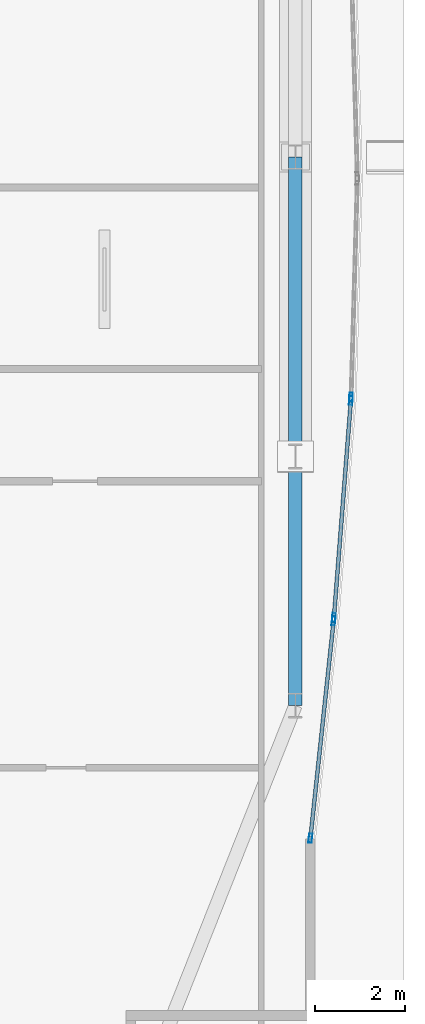
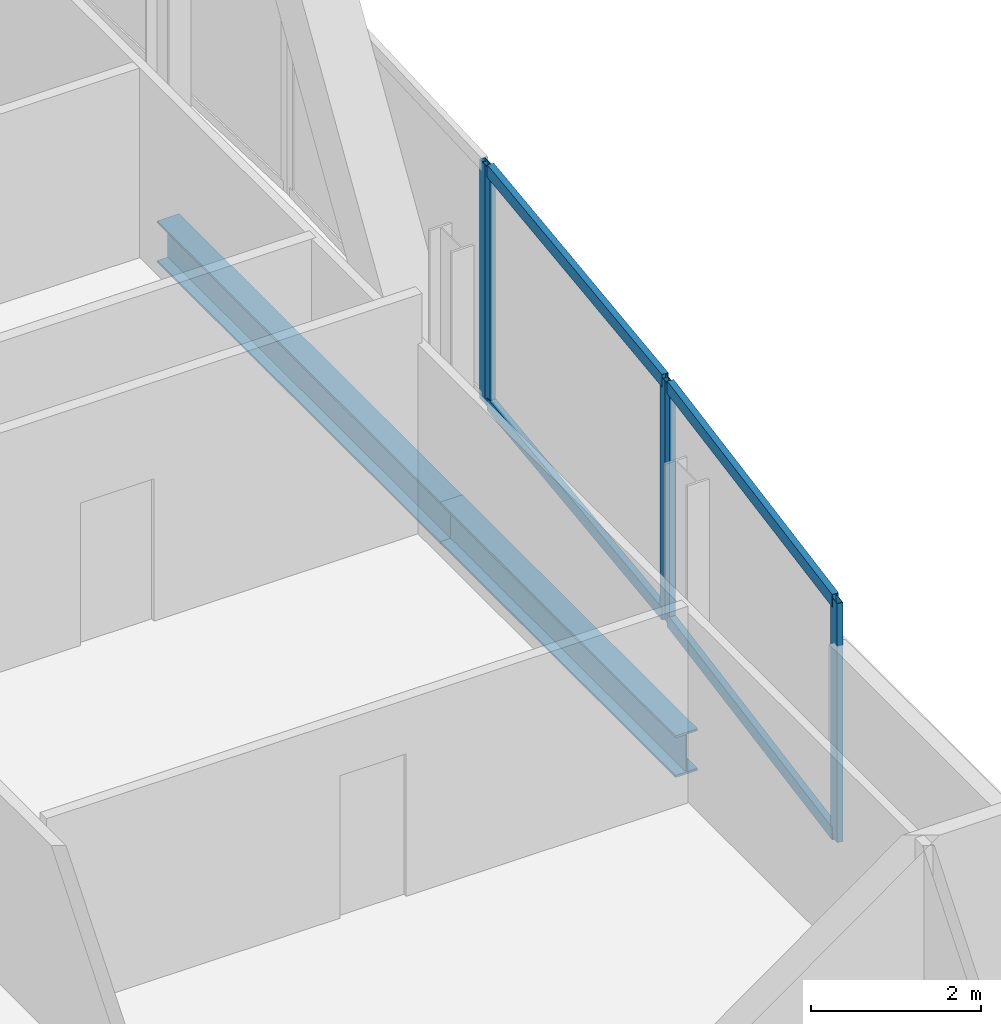
# One storey, part 20 of 30: 9 members, 2 beams, 3 elements without a shape of their own.
"""IFC4 building model written with IfcOpenShell, lengths in metres."""

from ifc_helpers import new_model, si_unit, direction, frame, origin, origin_2d, place, context, subcontext, project, spatial, hollow_rectangle, i_section, extrude, material, material_profile, profile_set, type_object, element, aggregate, save


model = new_model("IFC4")

# Units and contexts
model_context = context("Model", 3, precision=1e-05, world=origin(), true_north=direction((0.0, 1.0)))
body_context = subcontext(model_context, "Body", "Model", "MODEL_VIEW")
ifc_project = project(units=[si_unit("LENGTHUNIT", "METRE"), si_unit("AREAUNIT", "SQUARE_METRE"), si_unit("VOLUMEUNIT", "CUBIC_METRE"), si_unit("PLANEANGLEUNIT", "RADIAN"), si_unit("MASSUNIT", "GRAM", prefix="KILO")], contexts=[model_context])

# Site, building, storey
site_placement = place(None, origin())
site = spatial("IfcSite", under=ifc_project, at=site_placement, CompositionType="ELEMENT")
building_placement = place(site_placement, origin())
building = spatial("IfcBuilding", under=site, at=building_placement, Name="Khoronbel Lancet Exchange", CompositionType="ELEMENT")
storey_placement = place(building_placement, frame((0.0, 0.0, 136.199951171875)))
storey = spatial("IfcBuildingStorey", under=building, at=storey_placement, Name="L33", CompositionType="ELEMENT", Elevation=136.199951171875)

# Beams
ifc_material_1 = material(Name="Steel S355", Category="steel")
ifc_material_profile_1 = material_profile(ifc_material_1, i_section(OverallWidth=0.300048828125, OverallDepth=0.60009765625, WebThickness=0.015380859375, FlangeThickness=0.030029296875, at=origin_2d()), Name="HEB 600")
ifc_profile_set_1 = profile_set([ifc_material_profile_1], Name="Steel S355")
beam_type = type_object("IfcBeamType", Name="BM-BSP2", PredefinedType="SPANDREL", material=ifc_profile_set_1)
beam_1_placement = place(storey_placement, frame((67.6298828125, 19.199951171875, -0.4599609375), z_axis=(0.0, 1.0, 0.0), x_axis=(-1.0, 0.0, 0.0)))
element("IfcBeam", 1, at=beam_1_placement, inside=storey, type_object=beam_type, Name="Level L33 perimeter spandrel beam SP09", PredefinedType="SPANDREL", context=body_context, shape_type="SweptSolid", body=[
    extrude(i_section(OverallWidth=0.300048828125, OverallDepth=0.60009765625, WebThickness=0.015380859375, FlangeThickness=0.030029296875, at=origin_2d()), origin(), (0.0, 0.0, 1.0), 5.550048828125),
])
beam_2_placement = place(storey_placement, frame((67.6298828125, 24.75, -0.4599609375), z_axis=(0.0, 1.0, 0.0), x_axis=(-1.0, 0.0, 0.0)))
element("IfcBeam", 2, at=beam_2_placement, inside=storey, type_object=beam_type, Name="Level L33 perimeter spandrel beam SP10", PredefinedType="SPANDREL", context=body_context, shape_type="SweptSolid", body=[
    extrude(i_section(OverallWidth=0.300048828125, OverallDepth=0.60009765625, WebThickness=0.015380859375, FlangeThickness=0.030029296875, at=origin_2d()), origin(), (0.0, 0.0, 1.0), 6.675048828125),
])

# Curtain wall, member
ifc_material_2 = material(Name="Low-E Solar Control Insulating Glass", Category="glass")
curtain_wall_type = type_object("IfcCurtainWallType", Name="CW-4", PredefinedType="NOTDEFINED", material=ifc_material_2)
curtain_wall_1_placement = place(storey_placement, origin())
curtain_wall_1 = element("IfcCurtainWall", 3, at=curtain_wall_1_placement, inside=storey, type_object=curtain_wall_type, Name="Unitised curtain wall CW-L33-E20", PredefinedType="NOTDEFINED")
ifc_material_3 = material(Name="Bronze-Anodised Aluminium 6063-T6", Category="aluminium")
ifc_material_profile_2 = material_profile(ifc_material_3, hollow_rectangle(XDim=0.074951171875, YDim=0.199951171875, WallThickness=0.0048828125, at=origin_2d()), Name="ALU MULLION 75x200")
ifc_profile_set_2 = profile_set([ifc_material_profile_2], Name="Bronze-Anodised Aluminium 6063-T6")
member_type_1 = type_object("IfcMemberType", Name="MEM-CWM2", PredefinedType="MULLION", material=ifc_profile_set_2)
member_1_placement = place(storey_placement, frame((68.870361328125, 26.07568359375, 0.0), z_axis=(0.0, 0.0, 1.0), x_axis=(0.999590574553, -0.028612641702, 0.0)))
member_1 = element("IfcMember", 4, at=member_1_placement, type_object=member_type_1, Name="CW4 mullion 2", PredefinedType="MULLION", context=body_context, shape_type="SweptSolid", body=[
    extrude(hollow_rectangle(XDim=0.074951171875, YDim=0.199951171875, WallThickness=0.0048828125, at=origin_2d()), origin(), (0.0, 0.0, 1.0), 3.43994140625),
])
aggregate(curtain_wall_1, [member_1])

# Curtain wall, members
curtain_wall_2_placement = place(storey_placement, origin())
curtain_wall_2 = element("IfcCurtainWall", 5, at=curtain_wall_2_placement, inside=storey, type_object=curtain_wall_type, Name="Unitised curtain wall CW-L33-E21", PredefinedType="NOTDEFINED")
member_2_placement = place(storey_placement, frame((68.866455078125, 26.000732421875, 0.0), z_axis=(0.0, 0.0, 1.0), x_axis=(0.996959555693, -0.077920756627, 0.0)))
member_2 = element("IfcMember", 6, at=member_2_placement, type_object=member_type_1, Name="CW4 mullion 1", PredefinedType="MULLION", context=body_context, shape_type="SweptSolid", body=[
    extrude(hollow_rectangle(XDim=0.074951171875, YDim=0.199951171875, WallThickness=0.0048828125, at=origin_2d()), origin(), (0.0, 0.0, 1.0), 3.43994140625),
])
member_3_placement = place(storey_placement, frame((68.48828125, 21.162353515625, 0.0), z_axis=(0.0, 0.0, 1.0), x_axis=(0.996959555693, -0.077920756627, 0.0)))
member_3 = element("IfcMember", 7, at=member_3_placement, type_object=member_type_1, Name="CW4 mullion 2", PredefinedType="MULLION", context=body_context, shape_type="SweptSolid", body=[
    extrude(hollow_rectangle(XDim=0.074951171875, YDim=0.199951171875, WallThickness=0.0048828125, at=origin_2d()), origin(), (0.0, 0.0, 1.0), 3.43994140625),
])

curtain_wall_3_placement = place(storey_placement, origin())
curtain_wall_3 = element("IfcCurtainWall", 8, at=curtain_wall_3_placement, inside=storey, type_object=curtain_wall_type, Name="Unitised curtain wall CW-L33-E22", PredefinedType="NOTDEFINED")
member_4_placement = place(storey_placement, frame((68.4814453125, 21.087646484375, 0.0), z_axis=(0.0, 0.0, 1.0), x_axis=(0.994346859972, -0.106180610586, 0.0)))
member_4 = element("IfcMember", 9, at=member_4_placement, type_object=member_type_1, Name="CW4 mullion 1", PredefinedType="MULLION", context=body_context, shape_type="SweptSolid", body=[
    extrude(hollow_rectangle(XDim=0.074951171875, YDim=0.199951171875, WallThickness=0.0048828125, at=origin_2d()), origin(), (0.0, 0.0, 1.0), 3.43994140625),
])
member_5_placement = place(storey_placement, frame((67.9638671875, 16.2421875, 0.0), z_axis=(0.0, 0.0, 1.0), x_axis=(0.994346859972, -0.106180610586, 0.0)))
member_5 = element("IfcMember", 10, at=member_5_placement, type_object=member_type_1, Name="CW4 mullion 2", PredefinedType="MULLION", context=body_context, shape_type="SweptSolid", body=[
    extrude(hollow_rectangle(XDim=0.074951171875, YDim=0.199951171875, WallThickness=0.0048828125, at=origin_2d()), origin(), (0.0, 0.0, 1.0), 3.43994140625),
])

# Member
ifc_material_profile_3 = material_profile(ifc_material_3, hollow_rectangle(XDim=0.0849609375, YDim=0.179931640625, WallThickness=0.0048828125, at=origin_2d()), Name="ALU TRANSOM 85x180")
ifc_profile_set_3 = profile_set([ifc_material_profile_3], Name="Bronze-Anodised Aluminium 6063-T6")
member_type_2 = type_object("IfcMemberType", Name="MEM-CWT1", PredefinedType="USERDEFINED", material=ifc_profile_set_3)
member_6_placement = place(storey_placement, frame((68.863525390625, 25.96337890625, 0.04248046875), z_axis=(-0.077919407709, -0.996959661121, 0.0), x_axis=(0.996959661121, -0.077919407709, 0.0)))
member_6 = element("IfcMember", 11, at=member_6_placement, type_object=member_type_2, Name="CW4 transom 1.1", ObjectType="TRANSOM", PredefinedType="USERDEFINED", context=body_context, shape_type="SweptSolid", body=[
    extrude(hollow_rectangle(XDim=0.0849609375, YDim=0.179931640625, WallThickness=0.0048828125, at=origin_2d()), origin(), (0.0, 0.0, 1.0), 4.7783203125),
])

member_7_placement = place(storey_placement, frame((68.863525390625, 25.96337890625, 3.3974609375), z_axis=(-0.077919407709, -0.996959661121, 0.0), x_axis=(0.996959661121, -0.077919407709, 0.0)))
member_7 = element("IfcMember", 12, at=member_7_placement, type_object=member_type_2, Name="CW4 transom 1.2", ObjectType="TRANSOM", PredefinedType="USERDEFINED", context=body_context, shape_type="SweptSolid", body=[
    extrude(hollow_rectangle(XDim=0.0849609375, YDim=0.179931640625, WallThickness=0.0048828125, at=origin_2d()), origin(), (0.0, 0.0, 1.0), 4.7783203125),
])

aggregate(curtain_wall_2, [member_2, member_3, member_6, member_7])

member_8_placement = place(storey_placement, frame((68.4775390625, 21.050537109375, 0.04248046875), z_axis=(-0.106186389442, -0.994346242864, 0.0), x_axis=(0.994346242864, -0.106186389442, 0.0)))
member_8 = element("IfcMember", 13, at=member_8_placement, type_object=member_type_2, Name="CW4 transom 1.1", ObjectType="TRANSOM", PredefinedType="USERDEFINED", context=body_context, shape_type="SweptSolid", body=[
    extrude(hollow_rectangle(XDim=0.0849609375, YDim=0.179931640625, WallThickness=0.0048828125, at=origin_2d()), origin(), (0.0, 0.0, 1.0), 4.79833984375),
])

member_9_placement = place(storey_placement, frame((68.4775390625, 21.050537109375, 3.3974609375), z_axis=(-0.106186389442, -0.994346242864, 0.0), x_axis=(0.994346242864, -0.106186389442, 0.0)))
member_9 = element("IfcMember", 14, at=member_9_placement, type_object=member_type_2, Name="CW4 transom 1.2", ObjectType="TRANSOM", PredefinedType="USERDEFINED", context=body_context, shape_type="SweptSolid", body=[
    extrude(hollow_rectangle(XDim=0.0849609375, YDim=0.179931640625, WallThickness=0.0048828125, at=origin_2d()), origin(), (0.0, 0.0, 1.0), 4.79833984375),
])

aggregate(curtain_wall_3, [member_4, member_5, member_8, member_9])

save(model, "model.ifc")
